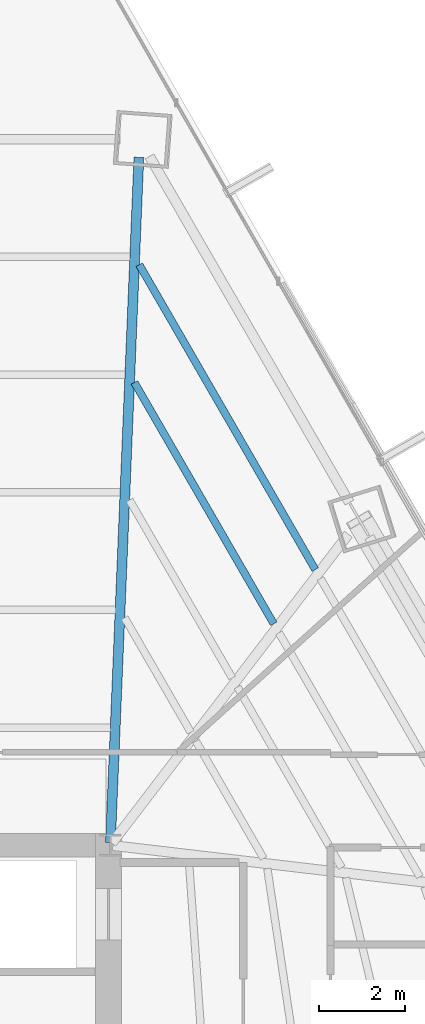
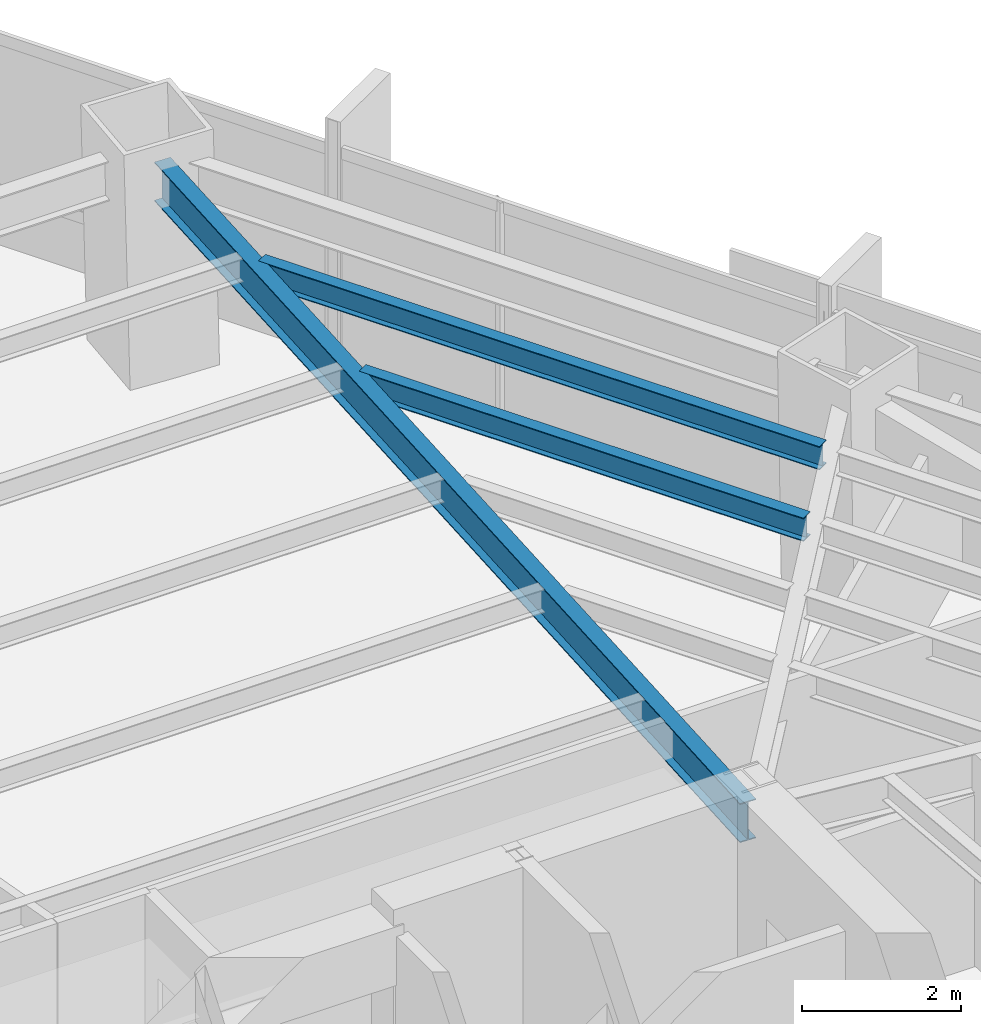
# One storey, part 30 of 39: 3 beams.
"""IFC4 building model written with IfcOpenShell, lengths in metres."""

import ifcopenshell
import ifcopenshell.guid

model = None  # the IFC model being written
_history = None  # IfcOwnerHistory: only IFC2X3 demands one
_inside = {}  # id of a spatial element -> (the spatial element, [elements in it])
_under = {}  # id of a project, library or spatial element -> (it, [spatial elements below it])
_declared = {}  # id of a project -> (the project, [libraries it declares])
_typed = {}  # id of a type object -> (the type object, [elements of that type])
_made_of = {}  # id of a material, layer set ... -> (it, [elements and type objects made of it])


def new_model(schema):
    """Start an empty IFC model of exactly this schema.

    Asked for "IFC4X3", IfcOpenShell would pick the latest addendum, in which some entities
    have other attributes; the version numbers below select the first issue.
    IFC2X3 requires an IfcOwnerHistory on every rooted entity: one is made here for all.
    """
    global model, _history
    if schema == "IFC4X3":
        model = ifcopenshell.file(schema_version=(4, 3, 0, 0))
    else:
        model = ifcopenshell.file(schema=schema)
    _inside.clear()
    _under.clear()
    _declared.clear()
    _typed.clear()
    _made_of.clear()
    _history = None
    if model.schema == "IFC2X3":
        org = make("IfcOrganization", Name="unknown")
        user = make(
            "IfcPersonAndOrganization",
            ThePerson=make("IfcPerson", FamilyName="unknown"),
            TheOrganization=org,
        )
        app = make(
            "IfcApplication",
            ApplicationDeveloper=org,
            Version="unknown",
            ApplicationFullName="unknown",
            ApplicationIdentifier="unknown",
        )
        _history = make(
            "IfcOwnerHistory",
            OwningUser=user,
            OwningApplication=app,
            ChangeAction="ADDED",
            CreationDate=0,
        )
    return model


def make(cls, **values):
    """One entity of the class cls with the attributes given. An attribute that is None is left unset."""
    return model.create_entity(
        cls, **{name: value for name, value in values.items() if value is not None}
    )


def rooted(cls, **values):
    """An entity with a GlobalId (a new one), such as an element, a storey or a relation."""
    return make(cls, GlobalId=ifcopenshell.guid.new(), OwnerHistory=_history, **values)


def si_unit(unit_type, name, prefix=None):
    """IfcSIUnit, for example si_unit("LENGTHUNIT", "METRE", prefix="MILLI")."""
    return make("IfcSIUnit", UnitType=unit_type, Prefix=prefix, Name=name)


def assignment(units):
    """IfcUnitAssignment: the units of a project."""
    return None if units is None else make("IfcUnitAssignment", Units=units)


def point(xyz):
    """IfcCartesianPoint."""
    return None if xyz is None else make("IfcCartesianPoint", Coordinates=xyz)


def direction(xyz):
    """IfcDirection."""
    return None if xyz is None else make("IfcDirection", DirectionRatios=xyz)


def frame(location, z_axis=None, x_axis=None):
    """IfcAxis2Placement3D, a coordinate frame: its origin and axes. An axis left out is left unset."""
    return make(
        "IfcAxis2Placement3D",
        Location=point(location),
        Axis=direction(z_axis),
        RefDirection=direction(x_axis),
    )


def frame_2d(location, x_axis=None):
    """IfcAxis2Placement2D, a coordinate frame in the plane: its origin and x axis."""
    return make(
        "IfcAxis2Placement2D", Location=point(location), RefDirection=direction(x_axis)
    )


def origin():
    """The frame at (0, 0, 0) with its axes left unset."""
    return frame((0.0, 0.0, 0.0))


def origin_2d():
    """The frame at (0, 0) in the plane with its x axis left unset."""
    return frame_2d((0.0, 0.0))


def place(relative_to, where):
    """IfcLocalPlacement: puts the frame where relative to a parent placement (None: the world)."""
    return make(
        "IfcLocalPlacement", PlacementRelTo=relative_to, RelativePlacement=where
    )


def context(
    kind, dimensions, precision=None, world=None, true_north=None, identifier=None
):
    """IfcGeometricRepresentationContext, for example the 3D "Model" context."""
    return make(
        "IfcGeometricRepresentationContext",
        ContextIdentifier=identifier,
        ContextType=kind,
        CoordinateSpaceDimension=dimensions,
        Precision=precision,
        WorldCoordinateSystem=world,
        TrueNorth=true_north,
    )


def subcontext(parent, identifier, kind, view, scale=None):
    """IfcGeometricRepresentationSubContext, for example "Body" below "Model"."""
    return make(
        "IfcGeometricRepresentationSubContext",
        ContextIdentifier=identifier,
        ContextType=kind,
        ParentContext=parent,
        TargetScale=scale,
        TargetView=view,
    )


def project(units=None, contexts=None):
    """IfcProject with its units and contexts."""
    return rooted(
        "IfcProject",
        Name="project",
        RepresentationContexts=contexts,
        UnitsInContext=assignment(units),
    )


def spatial(cls, under=None, at=None, **own):
    """A site, building, storey or space (cls), placed at a placement, below another one or the project."""
    s = rooted(cls, ObjectPlacement=at, **own)
    if under is not None:
        _under.setdefault(under.id(), (under, []))[1].append(s)
    return s


def profile(cls, at=None, kind="AREA", **sizes):
    """A parametric profile (cls). Its sizes go by their IFC names, for example OverallWidth=200.0."""
    return make(cls, ProfileType=kind, Position=at, **sizes)


def i_section(**sizes):
    """IfcIShapeProfileDef."""
    return profile("IfcIShapeProfileDef", **sizes)


def extrude(swept, where, along, depth):
    """IfcExtrudedAreaSolid: the profile swept, set in the frame where, extruded along a direction by depth."""
    return make(
        "IfcExtrudedAreaSolid",
        SweptArea=swept,
        Position=where,
        ExtrudedDirection=direction(along),
        Depth=depth,
    )


def shape(context_of_items, identifier, shape_type, items):
    """IfcShapeRepresentation: the items that make up one representation, for example the "Body"."""
    return make(
        "IfcShapeRepresentation",
        ContextOfItems=context_of_items,
        RepresentationIdentifier=identifier,
        RepresentationType=shape_type,
        Items=items,
    )


def source(mapping_origin, context_of_items, identifier, shape_type, items):
    """IfcRepresentationMap: a shape defined once, which mapped items show again and again."""
    return make(
        "IfcRepresentationMap",
        MappingOrigin=mapping_origin,
        MappedRepresentation=shape(context_of_items, identifier, shape_type, items),
    )


def transform(
    local_origin,
    x_axis=None,
    y_axis=None,
    z_axis=None,
    scale=None,
    scale2=None,
    scale3=None,
    uniform=True,
):
    """IfcCartesianTransformationOperator3D, or its non-uniform kind. x_axis, y_axis, z_axis: its Axis1, 2, 3."""
    if uniform:
        return make(
            "IfcCartesianTransformationOperator3D",
            Axis1=direction(x_axis),
            Axis2=direction(y_axis),
            LocalOrigin=point(local_origin),
            Scale=scale,
            Axis3=direction(z_axis),
        )
    return make(
        "IfcCartesianTransformationOperator3DnonUniform",
        Axis1=direction(x_axis),
        Axis2=direction(y_axis),
        LocalOrigin=point(local_origin),
        Scale=scale,
        Axis3=direction(z_axis),
        Scale2=scale2,
        Scale3=scale3,
    )


def mapped(mapping_source, mapping_target):
    """IfcMappedItem: shows the shape of a source again, moved by a transform."""
    return make(
        "IfcMappedItem", MappingSource=mapping_source, MappingTarget=mapping_target
    )


def material(Name=None, Category=None):
    """IfcMaterial."""
    return make("IfcMaterial", Name=Name, Category=Category)


def material_profile(
    of_material, cross_section, Name=None, Category=None, Priority=None
):
    """IfcMaterialProfile: a cross section and its material."""
    return make(
        "IfcMaterialProfile",
        Name=Name,
        Material=of_material,
        Profile=cross_section,
        Priority=Priority,
        Category=Category,
    )


def profile_set(profiles, Name=None, composite=None):
    """IfcMaterialProfileSet."""
    return make(
        "IfcMaterialProfileSet",
        Name=Name,
        MaterialProfiles=profiles,
        CompositeProfile=composite,
    )


def made_of(thing, what):
    """Note that an element or type object is made of a material, layer set ...; save() writes the relation."""
    if what is not None:
        _made_of.setdefault(what.id(), (what, []))[1].append(thing)
    return thing


def type_object(cls, material=None, **own):
    """A type object (cls), such as IfcWallType, which elements share."""
    return made_of(rooted(cls, **own), material)


def type_shapes(of_type, sources):
    """Give a type object the sources (RepresentationMaps) that its elements show as mapped items."""
    of_type.RepresentationMaps = sources


def element(
    cls,
    number,
    at=None,
    inside=None,
    cuts=None,
    type_object=None,
    material=None,
    context=None,
    identifier="Body",
    shape_type=None,
    held_by="IfcProductDefinitionShape",
    body=None,
    shapes=None,
    **own,
):
    """One element of the class cls, such as IfcWall. Its Tag is "e" and its number.

    at: its placement. inside: the storey or other place that contains it. cuts: it is an
    opening in that element (IfcRelVoidsElement). A single representation is given by context,
    identifier, shape_type and body (its items); several are given by shapes. held_by: the class
    of the entity that holds the representations. save() writes the other relations.
    """
    e = rooted(cls, Tag="e%d" % number, ObjectPlacement=at, **own)
    if body is not None:
        shapes = [shape(context, identifier, shape_type, body)]
    if shapes is not None:
        e.Representation = make(held_by, Representations=shapes)
    if inside is not None:
        _inside.setdefault(inside.id(), (inside, []))[1].append(e)
    if cuts is not None:
        rooted(
            "IfcRelVoidsElement", RelatingBuildingElement=cuts, RelatedOpeningElement=e
        )
    if type_object is not None:
        _typed.setdefault(type_object.id(), (type_object, []))[1].append(e)
    return made_of(e, material)


def aggregate(whole, parts):
    """IfcRelAggregates: a whole, such as a stair, and the parts it consists of."""
    return rooted("IfcRelAggregates", RelatingObject=whole, RelatedObjects=parts)


def save(model, path):
    """Write the relations noted so far, then the file.

    IfcRelAggregates (storeys below a building ...), IfcRelContainedInSpatialStructure (elements
    in a storey), IfcRelDefinesByType, IfcRelAssociatesMaterial and IfcRelDeclares: one each for
    every whole, place, type object, material and project.
    """
    for whole, parts in _under.values():
        aggregate(whole, parts)
    for where, things in _inside.values():
        rooted(
            "IfcRelContainedInSpatialStructure",
            RelatedElements=things,
            RelatingStructure=where,
        )
    for kind, things in _typed.values():
        rooted("IfcRelDefinesByType", RelatedObjects=things, RelatingType=kind)
    for what, things in _made_of.values():
        rooted("IfcRelAssociatesMaterial", RelatedObjects=things, RelatingMaterial=what)
    for by, libraries in _declared.values():
        rooted("IfcRelDeclares", RelatingContext=by, RelatedDefinitions=libraries)
    model.write(path)


model = new_model("IFC4")

# Units and contexts
model_context = context("Model", 3, precision=1e-05, world=origin(), true_north=direction((0.0, 1.0)))
body_context = subcontext(model_context, "Body", "Model", "MODEL_VIEW")
ifc_project = project(units=[si_unit("LENGTHUNIT", "METRE"), si_unit("AREAUNIT", "SQUARE_METRE"), si_unit("VOLUMEUNIT", "CUBIC_METRE"), si_unit("PLANEANGLEUNIT", "RADIAN"), si_unit("MASSUNIT", "GRAM", prefix="KILO")], contexts=[model_context])

# Site, building, storey
site_placement = place(None, origin())
site = spatial("IfcSite", under=ifc_project, at=site_placement, CompositionType="ELEMENT")
building_placement = place(site_placement, origin())
building = spatial("IfcBuilding", under=site, at=building_placement, Name="Caelisora Broadcast Tower", CompositionType="ELEMENT")
storey_placement = place(building_placement, frame((0.0, 0.0, 71.39990234375)))
storey = spatial("IfcBuildingStorey", under=building, at=storey_placement, Name="L18", CompositionType="ELEMENT", Elevation=71.39990234375)

# Beams
ifc_material = material(Name="Steel Grade 350 (AS/NZS 3679.1)", Category="steel")
ifc_material_profile_1 = material_profile(ifc_material, i_section(OverallWidth=0.22802734375, OverallDepth=0.602294921875, WebThickness=0.010498046875, FlangeThickness=0.014892578125, at=origin_2d()), Name="Steel Grade 350 (AS/NZS 3679.1)")
ifc_profile_set_1 = profile_set([ifc_material_profile_1], Name="Steel Grade 350 (AS/NZS 3679.1)")
beam_type_1 = type_object("IfcBeamType", Name="PG04", PredefinedType="BEAM", material=ifc_profile_set_1)
shared_shape_1 = source(origin(), body_context, "Body", "SweptSolid", [
    extrude(i_section(OverallWidth=0.22802734375, OverallDepth=0.602294921875, WebThickness=0.010498046875, FlangeThickness=0.014892578125, at=origin_2d()), origin(), (0.0, 0.0, 1.0), 15.8896484375),
])
type_shapes(beam_type_1, [shared_shape_1])
beam_1_placement = place(storey_placement, frame((45.50244140625, 30.059814453125, 2.948974609375), z_axis=(0.041423478617, 0.999141679352, 0.0), x_axis=(-0.999141679352, 0.041423478617, 0.0)))
element("IfcBeam", 1, at=beam_1_placement, inside=storey, type_object=beam_type_1, Name="L18 beam PG04", PredefinedType="BEAM", context=body_context, shape_type="MappedRepresentation", body=[
    mapped(shared_shape_1, transform((0.0, 0.0, 0.0), scale=1.0)),
])
ifc_material_profile_2 = material_profile(ifc_material, i_section(OverallWidth=0.172119140625, OverallDepth=0.358642578125, WebThickness=0.008056640625, FlangeThickness=0.012939453125, at=origin_2d()), Name="Steel Grade 350 (AS/NZS 3679.1)")
ifc_profile_set_2 = profile_set([ifc_material_profile_2], Name="Steel Grade 350 (AS/NZS 3679.1)")
beam_type_2 = type_object("IfcBeamType", Name="SB02", PredefinedType="JOIST", material=ifc_profile_set_2)
shared_shape_2 = source(origin(), body_context, "Body", "SweptSolid", [
    extrude(i_section(OverallWidth=0.172119140625, OverallDepth=0.358642578125, WebThickness=0.008056640625, FlangeThickness=0.012939453125, at=origin_2d()), origin(), (0.0, 0.0, 1.0), 6.45703125),
])
beam_2_placement = place(storey_placement, frame((49.285400390625, 35.1298828125, 3.07080078125), z_axis=(-0.499994104079, 0.866028807769, 0.0), x_axis=(-0.866028807769, -0.499994104079, 0.0)))
element("IfcBeam", 2, at=beam_2_placement, inside=storey, type_object=beam_type_2, Name="L18 beam SB02", PredefinedType="JOIST", context=body_context, shape_type="MappedRepresentation", body=[
    mapped(shared_shape_2, transform((0.0, 0.0, 0.0), scale=1.0)),
])
shared_shape_3 = source(origin(), body_context, "Body", "SweptSolid", [
    extrude(i_section(OverallWidth=0.172119140625, OverallDepth=0.358642578125, WebThickness=0.008056640625, FlangeThickness=0.012939453125, at=origin_2d()), origin(), (0.0, 0.0, 1.0), 8.15380859375),
])
type_shapes(beam_type_2, [shared_shape_2, shared_shape_3])
beam_3_placement = place(storey_placement, frame((50.246826171875, 36.386474609375, 3.07080078125), z_axis=(-0.50000669578, 0.866021537939, 0.0), x_axis=(-0.866021537939, -0.50000669578, 0.0)))
element("IfcBeam", 3, at=beam_3_placement, inside=storey, type_object=beam_type_2, Name="L18 beam SB02", PredefinedType="JOIST", context=body_context, shape_type="MappedRepresentation", body=[
    mapped(shared_shape_3, transform((0.0, 0.0, 0.0), scale=1.0)),
])

save(model, "model.ifc")
